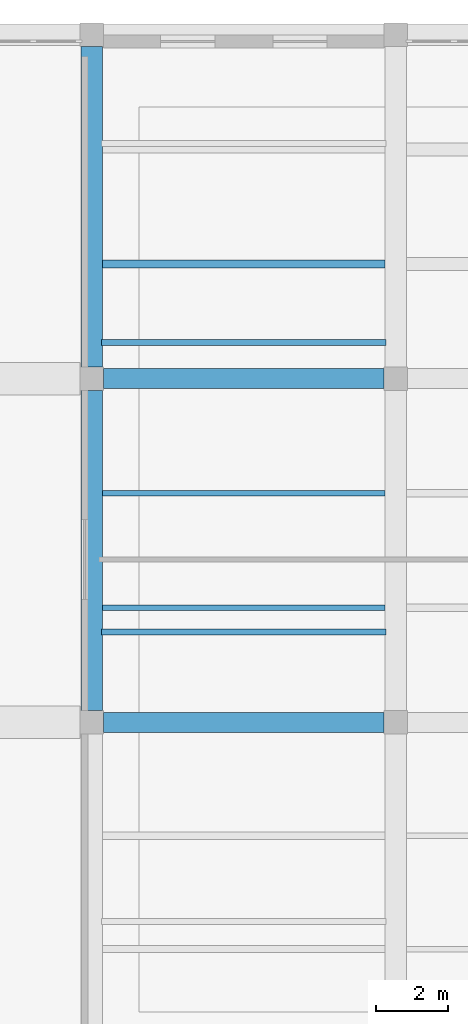
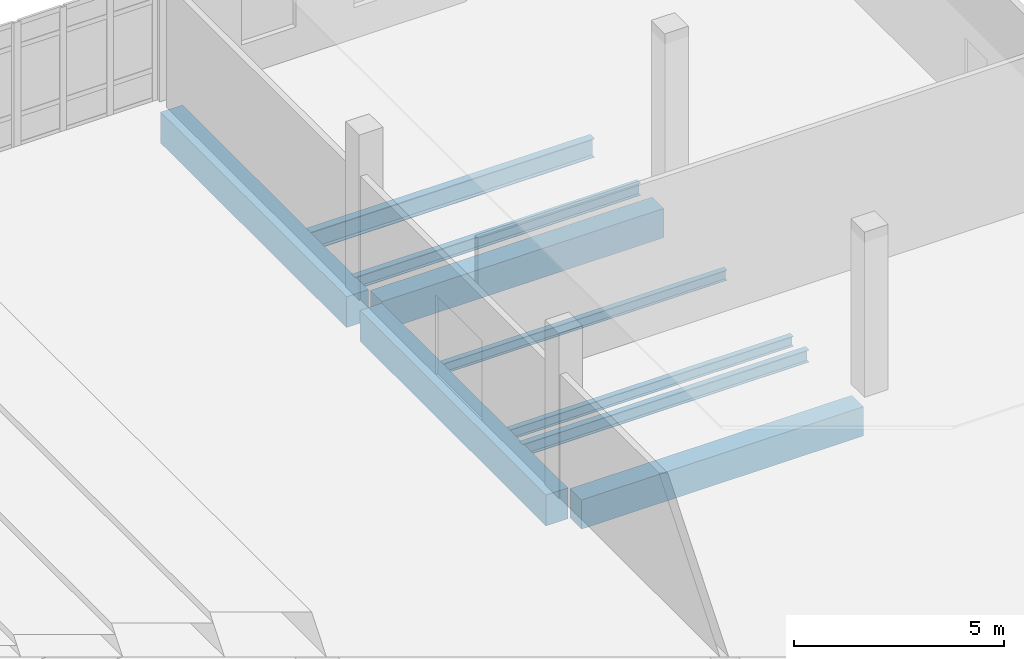
# One storey, part 29 of 90: 9 beams.
"""IFC4 building model written with IfcOpenShell, lengths in metres."""

from ifc_helpers import new_model, si_unit, direction, frame, origin, origin_2d, place, context, subcontext, project, spatial, rectangle, i_section, extrude, material, material_profile, profile_set, type_object, element, save


model = new_model("IFC4")

# Units and contexts
model_context = context("Model", 3, precision=1e-05, world=origin(), true_north=direction((0.0, 1.0)))
body_context = subcontext(model_context, "Body", "Model", "MODEL_VIEW")
ifc_project = project(units=[si_unit("LENGTHUNIT", "METRE"), si_unit("AREAUNIT", "SQUARE_METRE"), si_unit("VOLUMEUNIT", "CUBIC_METRE"), si_unit("PLANEANGLEUNIT", "RADIAN"), si_unit("MASSUNIT", "GRAM", prefix="KILO")], contexts=[model_context])

# Site, building, storey
site_placement = place(None, origin())
site = spatial("IfcSite", under=ifc_project, at=site_placement, CompositionType="ELEMENT")
building_placement = place(site_placement, origin())
building = spatial("IfcBuilding", under=site, at=building_placement, Name="Kelarvand Opera House", CompositionType="ELEMENT")
storey_placement = place(building_placement, frame((0.0, 0.0, 5.39990234375)))
storey = spatial("IfcBuildingStorey", under=building, at=storey_placement, Name="L01", CompositionType="ELEMENT", Elevation=5.39990234375)

# Beams
ifc_material_1 = material(Name="Concrete C40/50", Category="concrete")
ifc_material_profile_1 = material_profile(ifc_material_1, rectangle(XDim=0.550048828125, YDim=0.85009765625, at=origin_2d()), Name="RC 550x850", Category="concrete")
ifc_profile_set_1 = profile_set([ifc_material_profile_1], Name="Concrete C40/50")
beam_type_1 = type_object("IfcBeamType", Name="Structural Beam RC 550x850 BM-RC550x850", PredefinedType="BEAM", material=ifc_profile_set_1)
for number, where, z_axis, x_axis, name in (
    (1, (34.52490234375, 106.0, -0.724853515625), (1.0, 0.0, 0.0), (0.0, 1.0, 0.0), "V3 L01 Beam BM-RC550x850"),
    (2, (34.52490234375, 115.5, -0.724853515625), (1.0, 0.0, 0.0), (0.0, 1.0, 0.0), "V3 L01 Beam BM-RC550x850"),
):
    element("IfcBeam", number, at=place(storey_placement, frame(where, z_axis=z_axis, x_axis=x_axis)), inside=storey, type_object=beam_type_1, Name=name, PredefinedType="BEAM", context=body_context, shape_type="SweptSolid", body=[
        extrude(rectangle(XDim=0.550048828125, YDim=0.85009765625, at=origin_2d()), origin(), (0.0, 0.0, 1.0), 7.75),
    ])
ifc_material_profile_2 = material_profile(ifc_material_1, rectangle(XDim=0.60009765625, YDim=0.89990234375, at=origin_2d()), Name="RC 600x900", Category="concrete")
ifc_profile_set_2 = profile_set([ifc_material_profile_2], Name="Concrete C40/50")
beam_type_2 = type_object("IfcBeamType", Name="Structural Beam RC 600x900 BM-RC600x900", PredefinedType="BEAM", material=ifc_profile_set_2)
for number, where, z_axis, x_axis, name in (
    (3, (34.199951171875, 106.324951171875, -0.75), (0.0, 1.0, 0.0), (-1.0, 0.0, 0.0), "V3 L01 Beam BM-RC600x900"),
    (4, (34.199951171875, 115.824951171875, -0.75), (0.0, 1.0, 0.0), (-1.0, 0.0, 0.0), "V3 L01 Beam BM-RC600x900"),
):
    element("IfcBeam", number, at=place(storey_placement, frame(where, z_axis=z_axis, x_axis=x_axis)), inside=storey, type_object=beam_type_2, Name=name, PredefinedType="BEAM", context=body_context, shape_type="SweptSolid", body=[
        extrude(rectangle(XDim=0.60009765625, YDim=0.89990234375, at=origin_2d()), origin(), (0.0, 0.0, 1.0), 8.85009765625),
    ])
ifc_material_2 = material(Name="Steel S355", Category="steel")
ifc_material_profile_3 = material_profile(ifc_material_2, i_section(OverallWidth=0.14990234375, OverallDepth=0.300048828125, WebThickness=0.007080078125, FlangeThickness=0.0107421875, at=origin_2d()), Name="IPE 300", Category="steel")
ifc_profile_set_3 = profile_set([ifc_material_profile_3], Name="Steel S355")
beam_type_3 = type_object("IfcBeamType", Name="Structural Joist IPE 300 JS-IPE300", PredefinedType="JOIST", material=ifc_profile_set_3)
for number, where, z_axis, x_axis, name in (
    (5, (34.5, 109.166748046875, -0.449951171875), (1.0, 0.0, 0.0), (0.0, 1.0, 0.0), "V3 L01 Beam JS-IPE300"),
    (6, (34.5, 112.333251953125, -0.449951171875), (1.0, 0.0, 0.0), (0.0, 1.0, 0.0), "V3 L01 Beam JS-IPE300"),
):
    element("IfcBeam", number, at=place(storey_placement, frame(where, z_axis=z_axis, x_axis=x_axis)), inside=storey, type_object=beam_type_3, Name=name, PredefinedType="JOIST", context=body_context, shape_type="SweptSolid", body=[
        extrude(i_section(OverallWidth=0.14990234375, OverallDepth=0.300048828125, WebThickness=0.007080078125, FlangeThickness=0.0107421875, at=origin_2d()), origin(), (0.0, 0.0, 1.0), 7.800048828125),
    ])
ifc_material_profile_4 = material_profile(ifc_material_2, i_section(OverallWidth=0.2099609375, OverallDepth=0.550048828125, WebThickness=0.010986328125, FlangeThickness=0.01708984375, at=origin_2d()), Name="IPE 550", Category="steel")
ifc_profile_set_4 = profile_set([ifc_material_profile_4], Name="Steel S355")
beam_type_4 = type_object("IfcBeamType", Name="Structural Joist IPE 550 JS-IPE550", PredefinedType="JOIST", material=ifc_profile_set_4)
beam_placement = place(storey_placement, frame((34.5, 118.666748046875, -0.574951171875), z_axis=(1.0, 0.0, 0.0), x_axis=(0.0, 1.0, 0.0)))
element("IfcBeam", 7, at=beam_placement, inside=storey, type_object=beam_type_4, Name="V3 L01 Beam JS-IPE550", PredefinedType="JOIST", context=body_context, shape_type="SweptSolid", body=[
    extrude(i_section(OverallWidth=0.2099609375, OverallDepth=0.550048828125, WebThickness=0.010986328125, FlangeThickness=0.01708984375, at=origin_2d()), origin(), (0.0, 0.0, 1.0), 7.800048828125),
])
ifc_material_profile_5 = material_profile(ifc_material_2, i_section(OverallWidth=0.169921875, OverallDepth=0.360107421875, WebThickness=0.008056640625, FlangeThickness=0.0126953125, at=origin_2d()), Name="IPE 360", Category="steel")
ifc_profile_set_5 = profile_set([ifc_material_profile_5], Name="Steel S355")
beam_type_5 = type_object("IfcBeamType", Name="Structural Raker IPE 360 RK-IPE360", PredefinedType="USERDEFINED", material=ifc_profile_set_5)
for number, where, z_axis, x_axis, name in (
    (8, (34.469970703125, 108.5, -0.47998046875), (1.0, 0.0, 0.0), (0.0, 1.0, 0.0), "V3 Seating Raker Beam 2"),
    (9, (34.469970703125, 116.5, -0.47998046875), (1.0, 0.0, 0.0), (0.0, 1.0, 0.0), "V3 Seating Raker Beam 3"),
):
    element("IfcBeam", number, at=place(storey_placement, frame(where, z_axis=z_axis, x_axis=x_axis)), inside=storey, type_object=beam_type_5, Name=name, ObjectType="RAKER", PredefinedType="USERDEFINED", context=body_context, shape_type="SweptSolid", body=[
        extrude(i_section(OverallWidth=0.169921875, OverallDepth=0.360107421875, WebThickness=0.008056640625, FlangeThickness=0.0126953125, at=origin_2d()), origin(), (0.0, 0.0, 1.0), 7.860107421875),
    ])

save(model, "model.ifc")
